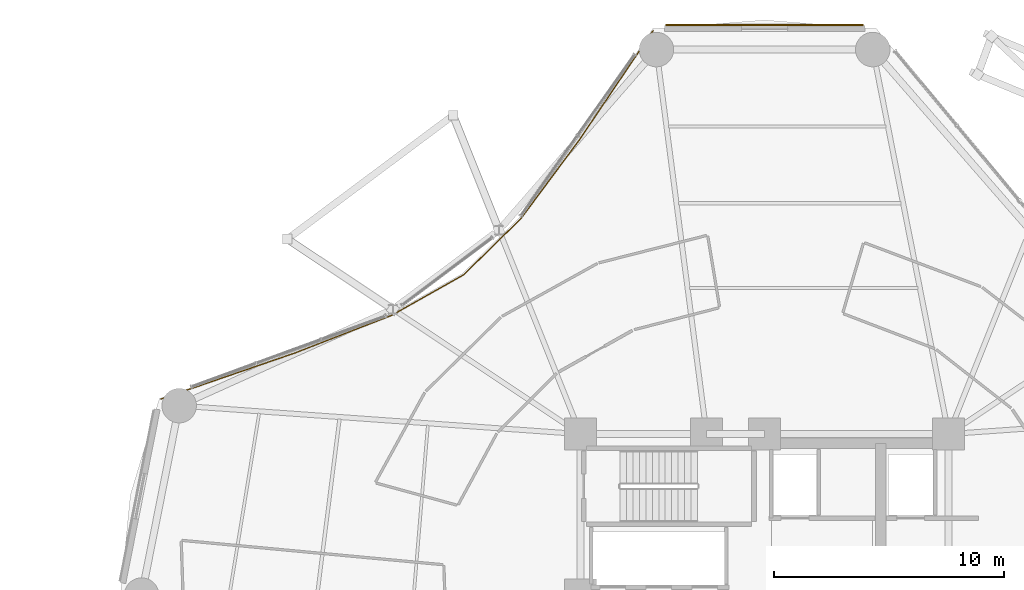
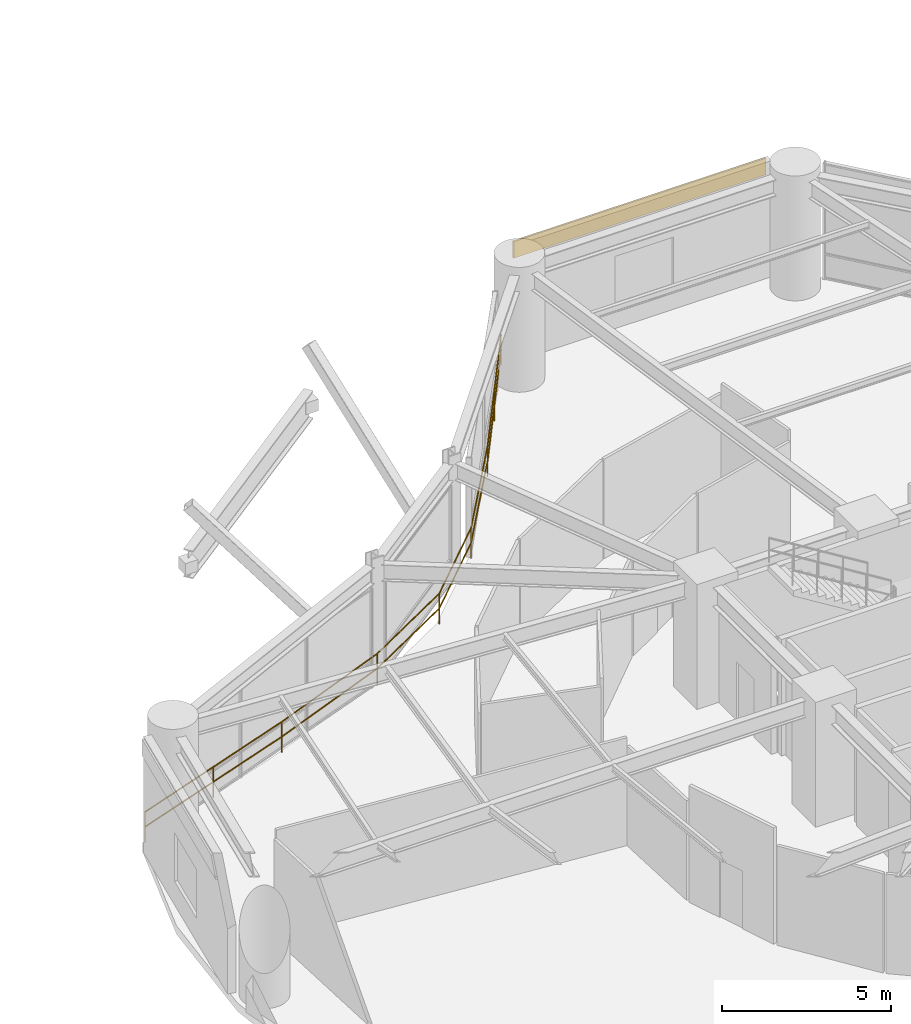
# One storey, part 55 of 55: 1 covering, 1 railing.
"""IFC4 building model written with IfcOpenShell, lengths in metres."""

from ifc_helpers import new_model, si_unit, direction, frame, origin, origin_2d, place, context, subcontext, project, spatial, polyline, rectangle, outline, extrude, source, transform, mapped, material, layer, layer_set, type_object, element, save


model = new_model("IFC4")

# Units and contexts
model_context = context("Model", 3, precision=1e-05, world=origin(), true_north=direction((0.0, 1.0)))
body_context = subcontext(model_context, "Body", "Model", "MODEL_VIEW")
ifc_project = project(units=[si_unit("LENGTHUNIT", "METRE"), si_unit("AREAUNIT", "SQUARE_METRE"), si_unit("VOLUMEUNIT", "CUBIC_METRE"), si_unit("PLANEANGLEUNIT", "RADIAN"), si_unit("MASSUNIT", "GRAM", prefix="KILO")], contexts=[model_context])

# Site, building, storey
site_placement = place(None, origin())
site = spatial("IfcSite", under=ifc_project, at=site_placement, CompositionType="ELEMENT")
building_placement = place(site_placement, origin())
building = spatial("IfcBuilding", under=site, at=building_placement, Name="Kelanora Arch Commons", CompositionType="ELEMENT")
storey_placement = place(building_placement, frame((0.0, 0.0, 4.5)))
storey = spatial("IfcBuildingStorey", under=building, at=storey_placement, Name="L01", CompositionType="ELEMENT", Elevation=4.5)

# Railing
ifc_material_1 = material(Name="Laminated glass and stainless steel balustrade", Category="steel")
railing_type = type_object("IfcRailingType", Name="RAIL-BAL-112", PredefinedType="BALUSTRADE", material=ifc_material_1)
railing_placement = place(storey_placement, frame((69.1533203125, 82.541748046875, 0.0)))
element("IfcRailing", 1, at=railing_placement, inside=storey, type_object=railing_type, Name="Concave Courtyard Overlook Balustrade L01-NW", PredefinedType="BALUSTRADE", context=body_context, shape_type="SweptSolid", body=[
    extrude(outline(polyline([(0.02392578125, 0.0), (0.011962890625, 0.020751953125), (-0.011962890625, 0.020751953125), (-0.02392578125, 0.0), (-0.011962890625, -0.020751953125), (0.011962890625, -0.020751953125), (0.02392578125, 0.0)])), frame((0.0, 0.0, 1.09619140625), z_axis=(-0.559131486201, -0.829078995716, 0.0), x_axis=(0.829078995716, -0.559131486201, 0.0)), (0.0, 0.0, 1.0), 5.749267578125),
    extrude(outline(polyline([(0.02392578125, 0.0), (0.011962890625, 0.020751953125), (-0.011962890625, 0.020751953125), (-0.02392578125, 0.0), (-0.011962890625, -0.020751953125), (0.011962890625, -0.020751953125), (0.02392578125, 0.0)])), frame((0.0, 0.0, 0.56005859375), z_axis=(-0.559131486201, -0.829078995716, 0.0), x_axis=(0.829078995716, -0.559131486201, 0.0)), (0.0, 0.0, 1.0), 5.749267578125),
    extrude(outline(polyline([(0.02392578125, 0.0), (0.011962890625, 0.020751953125), (-0.011962890625, 0.020751953125), (-0.02392578125, 0.0), (-0.011962890625, -0.020751953125), (0.011962890625, -0.020751953125), (0.02392578125, 0.0)])), frame((-3.214599609375, -4.7666015625, 1.09619140625), z_axis=(-0.596176535715, -0.802853372829, 0.0), x_axis=(0.802853372829, -0.596176535715, 0.0)), (0.0, 0.0, 1.0), 4.2373046875),
    extrude(outline(polyline([(0.02392578125, 0.0), (0.011962890625, 0.020751953125), (-0.011962890625, 0.020751953125), (-0.02392578125, 0.0), (-0.011962890625, -0.020751953125), (0.011962890625, -0.020751953125), (0.02392578125, 0.0)])), frame((-3.214599609375, -4.7666015625, 0.56005859375), z_axis=(-0.596176535715, -0.802853372829, 0.0), x_axis=(0.802853372829, -0.596176535715, 0.0)), (0.0, 0.0, 1.0), 4.2373046875),
    extrude(outline(polyline([(0.02392578125, 0.0), (0.011962890625, 0.020751953125), (-0.011962890625, 0.020751953125), (-0.02392578125, 0.0), (-0.011962890625, -0.020751953125), (0.011962890625, -0.020751953125), (0.02392578125, 0.0)])), frame((-5.74072265625, -8.16845703125, 1.09619140625), z_axis=(-0.713532255383, -0.700622380836, 0.0), x_axis=(0.700622380836, -0.713532255383, 0.0)), (0.0, 0.0, 1.0), 3.49853515625),
    extrude(outline(polyline([(0.02392578125, 0.0), (0.011962890625, 0.020751953125), (-0.011962890625, 0.020751953125), (-0.02392578125, 0.0), (-0.011962890625, -0.020751953125), (0.011962890625, -0.020751953125), (0.02392578125, 0.0)])), frame((-5.74072265625, -8.16845703125, 0.56005859375), z_axis=(-0.713532255383, -0.700622380836, 0.0), x_axis=(0.700622380836, -0.713532255383, 0.0)), (0.0, 0.0, 1.0), 3.49853515625),
    extrude(outline(polyline([(0.02392578125, 0.0), (0.011962890625, 0.020751953125), (-0.011962890625, 0.020751953125), (-0.02392578125, 0.0), (-0.011962890625, -0.020751953125), (0.011962890625, -0.020751953125), (0.02392578125, 0.0)])), frame((-8.237060546875, -10.61962890625, 1.09619140625), z_axis=(-0.871394516136, -0.490582915772, 0.0), x_axis=(0.490582915772, -0.871394516136, 0.0)), (0.0, 0.0, 1.0), 3.60302734375),
    extrude(outline(polyline([(0.02392578125, 0.0), (0.011962890625, 0.020751953125), (-0.011962890625, 0.020751953125), (-0.02392578125, 0.0), (-0.011962890625, -0.020751953125), (0.011962890625, -0.020751953125), (0.02392578125, 0.0)])), frame((-8.237060546875, -10.61962890625, 0.56005859375), z_axis=(-0.871394516136, -0.490582915772, 0.0), x_axis=(0.490582915772, -0.871394516136, 0.0)), (0.0, 0.0, 1.0), 3.60302734375),
    extrude(outline(polyline([(0.02392578125, 0.0), (0.011962890625, 0.020751953125), (-0.011962890625, 0.020751953125), (-0.02392578125, 0.0), (-0.011962890625, -0.020751953125), (0.011962890625, -0.020751953125), (0.02392578125, 0.0)])), frame((-11.376708984375, -12.38720703125, 1.09619140625), z_axis=(-0.932102395452, -0.362194870744, 0.0), x_axis=(0.362194870744, -0.932102395452, 0.0)), (0.0, 0.0, 1.0), 4.499267578125),
    extrude(outline(polyline([(0.02392578125, 0.0), (0.011962890625, 0.020751953125), (-0.011962890625, 0.020751953125), (-0.02392578125, 0.0), (-0.011962890625, -0.020751953125), (0.011962890625, -0.020751953125), (0.02392578125, 0.0)])), frame((-11.376708984375, -12.38720703125, 0.56005859375), z_axis=(-0.932102395452, -0.362194870744, 0.0), x_axis=(0.362194870744, -0.932102395452, 0.0)), (0.0, 0.0, 1.0), 4.499267578125),
    extrude(outline(polyline([(0.02392578125, 0.0), (0.011962890625, 0.020751953125), (-0.011962890625, 0.020751953125), (-0.02392578125, 0.0), (-0.011962890625, -0.020751953125), (0.011962890625, -0.020751953125), (0.02392578125, 0.0)])), frame((-15.570556640625, -14.016845703125, 1.09619140625), z_axis=(-0.945734245853, -0.324941127315, 0.0), x_axis=(0.324941127315, -0.945734245853, 0.0)), (0.0, 0.0, 1.0), 6.15185546875),
    extrude(outline(polyline([(0.02392578125, 0.0), (0.011962890625, 0.020751953125), (-0.011962890625, 0.020751953125), (-0.02392578125, 0.0), (-0.011962890625, -0.020751953125), (0.011962890625, -0.020751953125), (0.02392578125, 0.0)])), frame((-15.570556640625, -14.016845703125, 0.56005859375), z_axis=(-0.945734245853, -0.324941127315, 0.0), x_axis=(0.324941127315, -0.945734245853, 0.0)), (0.0, 0.0, 1.0), 6.15185546875),
    extrude(outline(polyline([(0.02099609375, 0.0), (0.010498046875, 0.01806640625), (-0.010498046875, 0.01806640625), (-0.02099609375, 0.0), (-0.010498046875, -0.01806640625), (0.010498046875, -0.01806640625), (0.02099609375, 0.0)])), origin(), (0.0, 0.0, 1.0), 1.072021484375),
    extrude(outline(polyline([(0.02099609375, 0.0), (0.010498046875, 0.01806640625), (-0.010498046875, 0.01806640625), (-0.02099609375, 0.0), (-0.010498046875, -0.01806640625), (0.010498046875, -0.01806640625), (0.02099609375, 0.0)])), frame((-1.607421875, -2.38330078125, 0.0)), (0.0, 0.0, 1.0), 1.072021484375),
    extrude(outline(polyline([(0.02099609375, 0.0), (0.010498046875, 0.01806640625), (-0.010498046875, 0.01806640625), (-0.02099609375, 0.0), (-0.010498046875, -0.01806640625), (0.010498046875, -0.01806640625), (0.02099609375, 0.0)])), frame((-3.214599609375, -4.7666015625, 0.0)), (0.0, 0.0, 1.0), 1.072021484375),
    extrude(outline(polyline([(0.02099609375, 0.0), (0.010498046875, 0.01806640625), (-0.010498046875, 0.01806640625), (-0.02099609375, 0.0), (-0.010498046875, -0.01806640625), (0.010498046875, -0.01806640625), (0.02099609375, 0.0)])), frame((-5.74072265625, -8.16845703125, 0.0)), (0.0, 0.0, 1.0), 1.072021484375),
    extrude(outline(polyline([(0.02099609375, 0.0), (0.010498046875, 0.01806640625), (-0.010498046875, 0.01806640625), (-0.02099609375, 0.0), (-0.010498046875, -0.01806640625), (0.010498046875, -0.01806640625), (0.02099609375, 0.0)])), frame((-8.237060546875, -10.61962890625, 0.0)), (0.0, 0.0, 1.0), 1.072021484375),
    extrude(outline(polyline([(0.02099609375, 0.0), (0.010498046875, 0.01806640625), (-0.010498046875, 0.01806640625), (-0.02099609375, 0.0), (-0.010498046875, -0.01806640625), (0.010498046875, -0.01806640625), (0.02099609375, 0.0)])), frame((-11.376708984375, -12.38720703125, 0.0)), (0.0, 0.0, 1.0), 1.072021484375),
    extrude(outline(polyline([(0.02099609375, 0.0), (0.010498046875, 0.01806640625), (-0.010498046875, 0.01806640625), (-0.02099609375, 0.0), (-0.010498046875, -0.01806640625), (0.010498046875, -0.01806640625), (0.02099609375, 0.0)])), frame((-15.570556640625, -14.016845703125, 0.0)), (0.0, 0.0, 1.0), 1.072021484375),
    extrude(outline(polyline([(0.02099609375, 0.0), (0.010498046875, 0.01806640625), (-0.010498046875, 0.01806640625), (-0.02099609375, 0.0), (-0.010498046875, -0.01806640625), (0.010498046875, -0.01806640625), (0.02099609375, 0.0)])), frame((-18.4794921875, -15.016357421875, 0.0)), (0.0, 0.0, 1.0), 1.072021484375),
    extrude(outline(polyline([(0.02099609375, 0.0), (0.010498046875, 0.01806640625), (-0.010498046875, 0.01806640625), (-0.02099609375, 0.0), (-0.010498046875, -0.01806640625), (0.010498046875, -0.01806640625), (0.02099609375, 0.0)])), frame((-21.388671875, -16.015869140625, 0.0)), (0.0, 0.0, 1.0), 1.072021484375),
])

# Covering
ifc_material_2 = material(Name="Glazed architectural terracotta spandrel cladding", Category="masonry")
ifc_layer = layer(ifc_material_2, 0.06005859375)
ifc_layer_set = layer_set([ifc_layer], Name="Glazed architectural terracotta spandrel cladding")
covering_type = type_object("IfcCoveringType", Name="COV-CLAD-TC", PredefinedType="CLADDING", material=ifc_layer_set)
shared_shape = source(origin(), body_context, "Body", "SweptSolid", [
    extrude(rectangle(XDim=8.591796875, YDim=0.06005859375, at=origin_2d()), origin(), (0.0, 0.0, 1.0), 0.60009765625),
])
covering_placement = place(storey_placement, frame((74.0, 82.7783203125, 3.534912109375), z_axis=(0.0, 0.0, 1.0), x_axis=(-1.0, 0.0, 0.0)))
element("IfcCovering", 2, at=covering_placement, inside=storey, type_object=covering_type, Name="Terracotta Spandrel Cladding L01-B04", PredefinedType="CLADDING", context=body_context, shape_type="MappedRepresentation", body=[
    mapped(shared_shape, transform((0.0, 0.0, 0.0), scale=1.0)),
])

save(model, "model.ifc")
